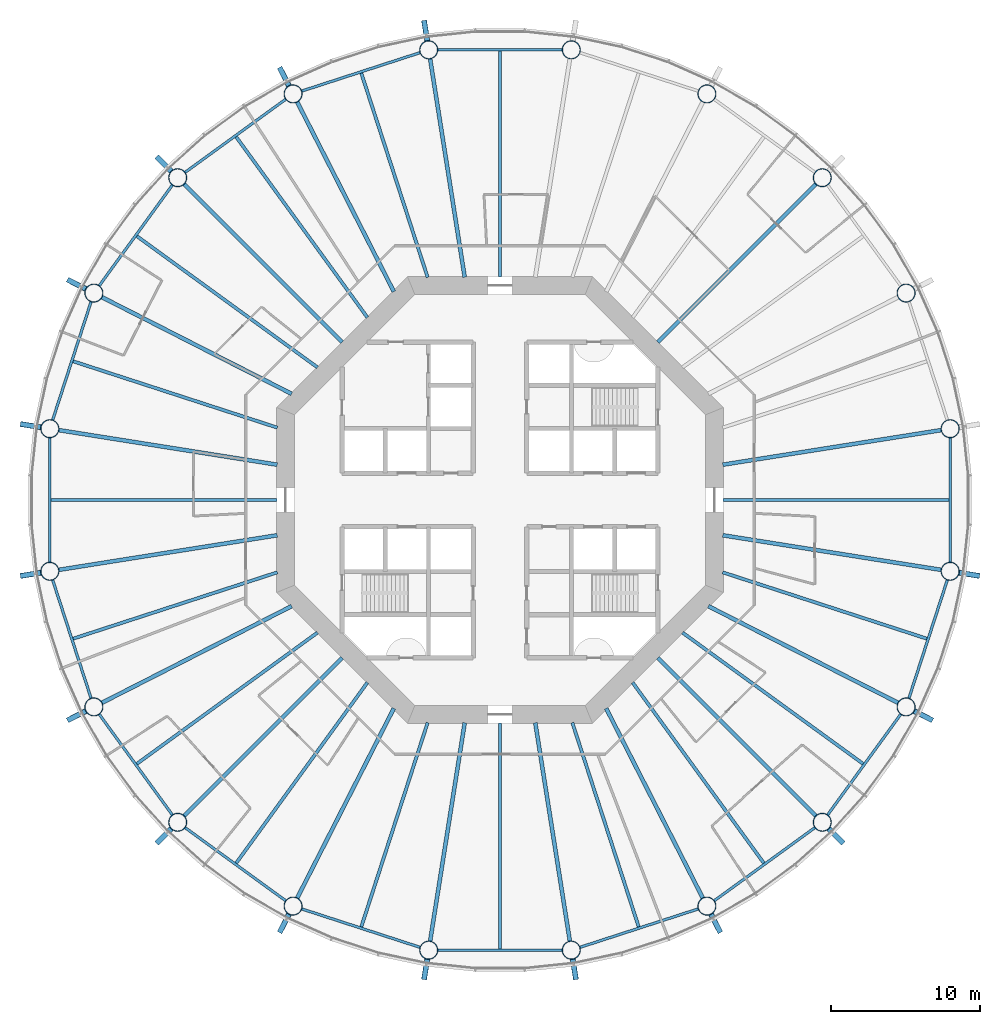
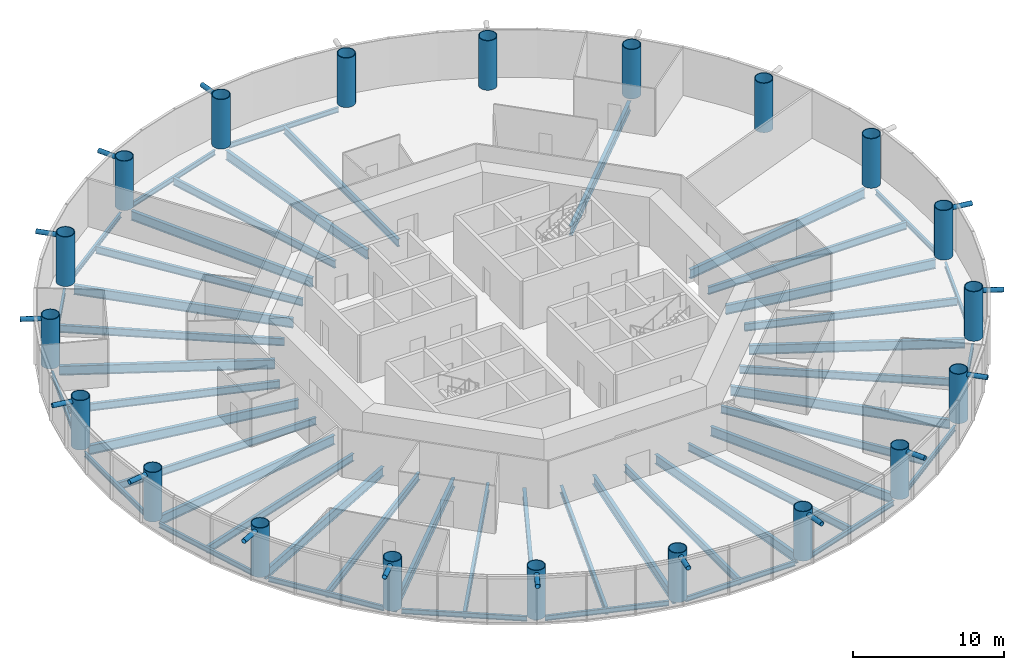
# One storey, part 1 of 13: 49 beams, 20 columns, 15 members.
"""IFC4 building model written with IfcOpenShell, lengths in metres."""

from ifc_helpers import new_model, si_unit, direction, frame, origin, origin_2d, place, context, subcontext, project, spatial, circle, hollow_circle, i_section, extrude, material, material_profile, profile_set, type_object, element, save


model = new_model("IFC4")

# Units and contexts
model_context = context("Model", 3, precision=1e-05, world=origin(), true_north=direction((0.0, 1.0)))
body_context = subcontext(model_context, "Body", "Model", "MODEL_VIEW")
ifc_project = project(units=[si_unit("LENGTHUNIT", "METRE"), si_unit("AREAUNIT", "SQUARE_METRE"), si_unit("VOLUMEUNIT", "CUBIC_METRE"), si_unit("PLANEANGLEUNIT", "RADIAN"), si_unit("MASSUNIT", "GRAM", prefix="KILO")], contexts=[model_context])

# Site, building, storey
site_placement = place(None, origin())
site = spatial("IfcSite", under=ifc_project, at=site_placement, CompositionType="ELEMENT")
building_placement = place(site_placement, origin())
building = spatial("IfcBuilding", under=site, at=building_placement, Name="Entoto Ring Tower", CompositionType="ELEMENT")
storey_placement = place(building_placement, frame((0.0, 0.0, 112.0)))
storey = spatial("IfcBuildingStorey", under=building, at=storey_placement, Name="L25", CompositionType="ELEMENT", Elevation=112.0)

# Columns
ifc_material_1 = material(Name="Steel S355", Category="steel")
ifc_material_profile_1 = material_profile(ifc_material_1, hollow_circle(Radius=0.625, WallThickness=0.054931640625, at=origin_2d()), Name="CHS 1250 x 55")
ifc_material_2 = material(Name="Concrete C60/75", Category="concrete")
ifc_material_profile_2 = material_profile(ifc_material_2, circle(Radius=0.570068359375, at=origin_2d()), Name="Concrete C60/75 infill")
ifc_profile_set_1 = profile_set([ifc_material_profile_1, ifc_material_profile_2], Name="Steel S355")
column_type = type_object("IfcColumnType", Name="Ring column 1250 x 55 concrete-filled tube", PredefinedType="COLUMN", material=ifc_profile_set_1)
for number, where, z_axis, x_axis, name in (
    (1, (120.22314453125, 84.786865234375, 0.0), (0.0, 0.0, 1.0), (1.0, 0.0, 0.0), "RC2 R01"),
    (2, (117.264892578125, 93.89208984375, 0.0), (0.0, 0.0, 1.0), (1.0, 0.0, 0.0), "RC2 R02"),
    (3, (111.637451171875, 101.637451171875, 0.0), (0.0, 0.0, 1.0), (1.0, 0.0, 0.0), "RC2 R03"),
    (4, (103.89208984375, 107.264892578125, 0.0), (0.0, 0.0, 1.0), (1.0, 0.0, 0.0), "RC2 R04"),
    (5, (94.786865234375, 110.22314453125, 0.0), (0.0, 0.0, 1.0), (1.0, 0.0, 0.0), "RC2 R05"),
    (6, (85.213134765625, 110.22314453125, 0.0), (0.0, 0.0, 1.0), (1.0, 0.0, 0.0), "RC2 R06"),
    (7, (76.10791015625, 107.264892578125, 0.0), (0.0, 0.0, 1.0), (1.0, 0.0, 0.0), "RC2 R07"),
    (8, (68.362548828125, 101.637451171875, 0.0), (0.0, 0.0, 1.0), (1.0, 0.0, 0.0), "RC2 R08"),
    (9, (62.735107421875, 93.89208984375, 0.0), (0.0, 0.0, 1.0), (1.0, 0.0, 0.0), "RC2 R09"),
    (10, (59.77685546875, 84.786865234375, 0.0), (0.0, 0.0, 1.0), (1.0, 0.0, 0.0), "RC2 R10"),
    (11, (59.77685546875, 75.213134765625, 0.0), (0.0, 0.0, 1.0), (1.0, 0.0, 0.0), "RC2 R11"),
    (12, (62.735107421875, 66.10791015625, 0.0), (0.0, 0.0, 1.0), (1.0, 0.0, 0.0), "RC2 R12"),
    (13, (68.362548828125, 58.362548828125, 0.0), (0.0, 0.0, 1.0), (1.0, 0.0, 0.0), "RC2 R13"),
    (14, (76.10791015625, 52.735107421875, 0.0), (0.0, 0.0, 1.0), (1.0, 0.0, 0.0), "RC2 R14"),
    (15, (85.213134765625, 49.77685546875, 0.0), (0.0, 0.0, 1.0), (1.0, 0.0, 0.0), "RC2 R15"),
    (16, (94.786865234375, 49.77685546875, 0.0), (0.0, 0.0, 1.0), (1.0, 0.0, 0.0), "RC2 R16"),
    (17, (103.89208984375, 52.735107421875, 0.0), (0.0, 0.0, 1.0), (1.0, 0.0, 0.0), "RC2 R17"),
    (18, (111.637451171875, 58.362548828125, 0.0), (0.0, 0.0, 1.0), (1.0, 0.0, 0.0), "RC2 R18"),
    (19, (117.264892578125, 66.10791015625, 0.0), (0.0, 0.0, 1.0), (1.0, 0.0, 0.0), "RC2 R19"),
    (20, (120.22314453125, 75.213134765625, 0.0), (0.0, 0.0, 1.0), (1.0, 0.0, 0.0), "RC2 R20"),
):
    element("IfcColumn", number, at=place(storey_placement, frame(where, z_axis=z_axis, x_axis=x_axis)), inside=storey, type_object=column_type, Name=name, PredefinedType="COLUMN", context=body_context, shape_type="SweptSolid", body=[
        extrude(hollow_circle(Radius=0.625, WallThickness=0.054931640625, at=origin_2d()), origin(), (0.0, 0.0, 1.0), 4.0),
    ])

# Members
ifc_material_3 = material(Name="Steel S355", Category="steel")
ifc_material_profile_3 = material_profile(ifc_material_3, hollow_circle(Radius=0.177734375, WallThickness=0.01611328125, at=origin_2d()), Name="CHS 355.6 x 16")
ifc_material_4 = material(Name="Concrete C60/75", Category="concrete")
ifc_material_profile_4 = material_profile(ifc_material_4, circle(Radius=0.161865234375, at=origin_2d()), Name="Concrete C60/75 infill")
ifc_profile_set_2 = profile_set([ifc_material_profile_3, ifc_material_profile_4], Name="Steel S355")
member_type = type_object("IfcMemberType", Name="Diagrid node strut 355.6 x 16", PredefinedType="STRUT", material=ifc_profile_set_2)
member_1_placement = place(storey_placement, frame((85.12255859375, 110.795166015625, 3.672119140625), z_axis=(-0.156509522646, 0.987676449715, 0.0), x_axis=(-0.987676449715, -0.156509522646, 0.0)))
element("IfcMember", 21, at=member_1_placement, inside=storey, type_object=member_type, Name="DS1 strut ring 7 05", PredefinedType="STRUT", context=body_context, shape_type="SweptSolid", body=[
    extrude(hollow_circle(Radius=0.177734375, WallThickness=0.01611328125, at=origin_2d()), origin(), (0.0, 0.0, 1.0), 1.421142578125),
])
member_2_placement = place(storey_placement, frame((75.844970703125, 107.78076171875, 3.672119140625), z_axis=(-0.45393607671, 0.891034252013, 0.0), x_axis=(-0.891034252013, -0.45393607671, 0.0)))
element("IfcMember", 22, at=member_2_placement, inside=storey, type_object=member_type, Name="DS1 strut ring 7 06", PredefinedType="STRUT", context=body_context, shape_type="SweptSolid", body=[
    extrude(hollow_circle(Radius=0.177734375, WallThickness=0.01611328125, at=origin_2d()), origin(), (0.0, 0.0, 1.0), 1.4208984375),
])
member_3_placement = place(storey_placement, frame((67.953125, 102.046875, 3.672119140625), z_axis=(-0.707106781187, 0.707106781187, 0.0), x_axis=(-0.707106781187, -0.707106781187, 0.0)))
element("IfcMember", 23, at=member_3_placement, inside=storey, type_object=member_type, Name="DS1 strut ring 7 07", PredefinedType="STRUT", context=body_context, shape_type="SweptSolid", body=[
    extrude(hollow_circle(Radius=0.177734375, WallThickness=0.01611328125, at=origin_2d()), origin(), (0.0, 0.0, 1.0), 1.421142578125),
])
member_4_placement = place(storey_placement, frame((62.21923828125, 94.155029296875, 3.672119140625), z_axis=(-0.891034252013, 0.45393607671, 0.0), x_axis=(-0.45393607671, -0.891034252013, 0.0)))
element("IfcMember", 24, at=member_4_placement, inside=storey, type_object=member_type, Name="DS1 strut ring 7 08", PredefinedType="STRUT", context=body_context, shape_type="SweptSolid", body=[
    extrude(hollow_circle(Radius=0.177734375, WallThickness=0.01611328125, at=origin_2d()), origin(), (0.0, 0.0, 1.0), 1.4208984375),
])
for number, where, z_axis, x_axis, name in (
    (25, (59.204833984375, 84.87744140625, 3.672119140625), (-0.987676449715, 0.156509522646, 0.0), (-0.156509522646, -0.987676449715, 0.0), "DS1 strut ring 7 09"),
    (26, (59.204833984375, 75.12255859375, 3.672119140625), (-0.987676449715, -0.156509522646, 0.0), (0.156509522646, -0.987676449715, 0.0), "DS1 strut ring 7 10"),
):
    element("IfcMember", number, at=place(storey_placement, frame(where, z_axis=z_axis, x_axis=x_axis)), inside=storey, type_object=member_type, Name=name, PredefinedType="STRUT", context=body_context, shape_type="SweptSolid", body=[
        extrude(hollow_circle(Radius=0.177734375, WallThickness=0.01611328125, at=origin_2d()), origin(), (0.0, 0.0, 1.0), 1.421142578125),
    ])
member_5_placement = place(storey_placement, frame((62.21923828125, 65.844970703125, 3.672119140625), z_axis=(-0.891034252013, -0.45393607671, 0.0), x_axis=(0.45393607671, -0.891034252013, 0.0)))
element("IfcMember", 27, at=member_5_placement, inside=storey, type_object=member_type, Name="DS1 strut ring 7 11", PredefinedType="STRUT", context=body_context, shape_type="SweptSolid", body=[
    extrude(hollow_circle(Radius=0.177734375, WallThickness=0.01611328125, at=origin_2d()), origin(), (0.0, 0.0, 1.0), 1.4208984375),
])
member_6_placement = place(storey_placement, frame((67.953125, 57.953125, 3.672119140625), z_axis=(-0.707106781187, -0.707106781187, 0.0), x_axis=(0.707106781187, -0.707106781187, 0.0)))
element("IfcMember", 28, at=member_6_placement, inside=storey, type_object=member_type, Name="DS1 strut ring 7 12", PredefinedType="STRUT", context=body_context, shape_type="SweptSolid", body=[
    extrude(hollow_circle(Radius=0.177734375, WallThickness=0.01611328125, at=origin_2d()), origin(), (0.0, 0.0, 1.0), 1.421142578125),
])
member_7_placement = place(storey_placement, frame((75.844970703125, 52.21923828125, 3.672119140625), z_axis=(-0.45393607671, -0.891034252013, 0.0), x_axis=(0.891034252013, -0.45393607671, 0.0)))
element("IfcMember", 29, at=member_7_placement, inside=storey, type_object=member_type, Name="DS1 strut ring 7 13", PredefinedType="STRUT", context=body_context, shape_type="SweptSolid", body=[
    extrude(hollow_circle(Radius=0.177734375, WallThickness=0.01611328125, at=origin_2d()), origin(), (0.0, 0.0, 1.0), 1.4208984375),
])
for number, where, z_axis, x_axis, name in (
    (30, (85.12255859375, 49.204833984375, 3.672119140625), (-0.156509522646, -0.987676449715, 0.0), (0.987676449715, -0.156509522646, 0.0), "DS1 strut ring 7 14"),
    (31, (94.87744140625, 49.204833984375, 3.672119140625), (0.156509522646, -0.987676449715, 0.0), (0.987676449715, 0.156509522646, 0.0), "DS1 strut ring 7 15"),
):
    element("IfcMember", number, at=place(storey_placement, frame(where, z_axis=z_axis, x_axis=x_axis)), inside=storey, type_object=member_type, Name=name, PredefinedType="STRUT", context=body_context, shape_type="SweptSolid", body=[
        extrude(hollow_circle(Radius=0.177734375, WallThickness=0.01611328125, at=origin_2d()), origin(), (0.0, 0.0, 1.0), 1.421142578125),
    ])
member_8_placement = place(storey_placement, frame((104.155029296875, 52.21923828125, 3.672119140625), z_axis=(0.45393607671, -0.891034252013, 0.0), x_axis=(0.891034252013, 0.45393607671, 0.0)))
element("IfcMember", 32, at=member_8_placement, inside=storey, type_object=member_type, Name="DS1 strut ring 7 16", PredefinedType="STRUT", context=body_context, shape_type="SweptSolid", body=[
    extrude(hollow_circle(Radius=0.177734375, WallThickness=0.01611328125, at=origin_2d()), origin(), (0.0, 0.0, 1.0), 1.4208984375),
])
member_9_placement = place(storey_placement, frame((112.046875, 57.953125, 3.672119140625), z_axis=(0.707106781187, -0.707106781187, 0.0), x_axis=(0.707106781187, 0.707106781187, 0.0)))
element("IfcMember", 33, at=member_9_placement, inside=storey, type_object=member_type, Name="DS1 strut ring 7 17", PredefinedType="STRUT", context=body_context, shape_type="SweptSolid", body=[
    extrude(hollow_circle(Radius=0.177734375, WallThickness=0.01611328125, at=origin_2d()), origin(), (0.0, 0.0, 1.0), 1.421142578125),
])
member_10_placement = place(storey_placement, frame((117.78076171875, 65.844970703125, 3.672119140625), z_axis=(0.891034252013, -0.45393607671, 0.0), x_axis=(0.45393607671, 0.891034252013, 0.0)))
element("IfcMember", 34, at=member_10_placement, inside=storey, type_object=member_type, Name="DS1 strut ring 7 18", PredefinedType="STRUT", context=body_context, shape_type="SweptSolid", body=[
    extrude(hollow_circle(Radius=0.177734375, WallThickness=0.01611328125, at=origin_2d()), origin(), (0.0, 0.0, 1.0), 1.4208984375),
])
member_11_placement = place(storey_placement, frame((120.795166015625, 75.12255859375, 3.672119140625), z_axis=(0.987676449715, -0.156509522646, 0.0), x_axis=(0.156509522646, 0.987676449715, 0.0)))
element("IfcMember", 35, at=member_11_placement, inside=storey, type_object=member_type, Name="DS1 strut ring 7 19", PredefinedType="STRUT", context=body_context, shape_type="SweptSolid", body=[
    extrude(hollow_circle(Radius=0.177734375, WallThickness=0.01611328125, at=origin_2d()), origin(), (0.0, 0.0, 1.0), 1.421142578125),
])

# Beams
ifc_material_5 = material(Name="Steel S355", Category="steel")
ifc_material_profile_5 = material_profile(ifc_material_5, i_section(OverallWidth=0.179931640625, OverallDepth=0.39990234375, WebThickness=0.008544921875, FlangeThickness=0.013427734375, FilletRadius=0.02099609375, at=origin_2d()), Name="IPE 400")
ifc_profile_set_3 = profile_set([ifc_material_profile_5], Name="Steel S355")
beam_type_1 = type_object("IfcBeamType", Name="Edge beam IPE 400", PredefinedType="SPANDREL", material=ifc_profile_set_3)
for number, where, z_axis, x_axis, name in (
    (36, (94.1884765625, 110.22314453125, -0.35009765625), (-1.0, 0.0, 0.0), (0.0, -1.0, 0.0), "Edge beam L25 05"),
    (37, (84.64404296875, 110.038330078125, -0.35009765625), (-0.951057410904, -0.309014241039, 0.0), (0.309014241039, -0.951057410904, 0.0), "Edge beam L25 06"),
    (38, (75.623779296875, 106.9130859375, -0.35009765625), (-0.8090182976, -0.587783458554, 0.0), (0.587783458554, -0.8090182976, 0.0), "Edge beam L25 07"),
    (39, (68.0107421875, 101.1533203125, -0.35009765625), (-0.587783458554, -0.8090182976, 0.0), (0.8090182976, -0.587783458554, 0.0), "Edge beam L25 08"),
    (40, (62.55029296875, 93.322998046875, -0.35009765625), (-0.309014241039, -0.951057410904, 0.0), (0.951057410904, -0.309014241039, 0.0), "Edge beam L25 09"),
    (41, (59.77685546875, 84.1884765625, -0.35009765625), (0.0, -1.0, 0.0), (1.0, 0.0, 0.0), "Edge beam L25 10"),
    (42, (59.961669921875, 74.64404296875, -0.35009765625), (0.309014241039, -0.951057410904, 0.0), (0.951057410904, 0.309014241039, 0.0), "Edge beam L25 11"),
    (43, (63.0869140625, 65.623779296875, -0.35009765625), (0.587783458554, -0.8090182976, 0.0), (0.8090182976, 0.587783458554, 0.0), "Edge beam L25 12"),
    (44, (68.8466796875, 58.0107421875, -0.35009765625), (0.8090182976, -0.587783458554, 0.0), (0.587783458554, 0.8090182976, 0.0), "Edge beam L25 13"),
    (45, (76.677001953125, 52.55029296875, -0.35009765625), (0.951057410904, -0.309014241039, 0.0), (0.309014241039, 0.951057410904, 0.0), "Edge beam L25 14"),
    (46, (85.8115234375, 49.77685546875, -0.35009765625), (1.0, 0.0, 0.0), (0.0, 1.0, 0.0), "Edge beam L25 15"),
    (47, (95.35595703125, 49.961669921875, -0.35009765625), (0.951057410904, 0.309014241039, 0.0), (-0.309014241039, 0.951057410904, 0.0), "Edge beam L25 16"),
    (48, (104.376220703125, 53.0869140625, -0.35009765625), (0.8090182976, 0.587783458554, 0.0), (-0.587783458554, 0.8090182976, 0.0), "Edge beam L25 17"),
    (49, (111.9892578125, 58.8466796875, -0.35009765625), (0.587783458554, 0.8090182976, 0.0), (-0.8090182976, 0.587783458554, 0.0), "Edge beam L25 18"),
    (50, (117.44970703125, 66.677001953125, -0.35009765625), (0.309014241039, 0.951057410904, 0.0), (-0.951057410904, 0.309014241039, 0.0), "Edge beam L25 19"),
    (51, (120.22314453125, 75.8115234375, -0.35009765625), (0.0, 1.0, 0.0), (-1.0, 0.0, 0.0), "Edge beam L25 20"),
):
    element("IfcBeam", number, at=place(storey_placement, frame(where, z_axis=z_axis, x_axis=x_axis)), inside=storey, type_object=beam_type_1, Name=name, PredefinedType="SPANDREL", context=body_context, shape_type="SweptSolid", body=[
        extrude(i_section(OverallWidth=0.179931640625, OverallDepth=0.39990234375, WebThickness=0.008544921875, FlangeThickness=0.013427734375, FilletRadius=0.02099609375, at=origin_2d()), origin(), (0.0, 0.0, 1.0), 8.376953125),
    ])
ifc_material_6 = material(Name="Steel S355", Category="steel")
ifc_material_profile_6 = material_profile(ifc_material_6, i_section(OverallWidth=0.262939453125, OverallDepth=0.7529296875, WebThickness=0.011474609375, FlangeThickness=0.01708984375, FilletRadius=0.01708984375, at=origin_2d()), Name="IPE 750 x 137")
ifc_profile_set_4 = profile_set([ifc_material_profile_6], Name="Steel S355")
beam_type_2 = type_object("IfcBeamType", Name="Primary floor beam IPE 750 x 137", PredefinedType="BEAM", material=ifc_profile_set_4)
beam_1_placement = place(storey_placement, frame((104.959716796875, 82.369384765625, -0.526611328125), z_axis=(0.98768960451, 0.156426484787, 0.0), x_axis=(-0.156426484787, 0.98768960451, 0.0)))
element("IfcBeam", 52, at=beam_1_placement, inside=storey, type_object=beam_type_2, Name="Primary L25 R01", PredefinedType="BEAM", context=body_context, shape_type="SweptSolid", body=[
    extrude(i_section(OverallWidth=0.262939453125, OverallDepth=0.7529296875, WebThickness=0.011474609375, FlangeThickness=0.01708984375, FilletRadius=0.01708984375, at=origin_2d()), origin(), (0.0, 0.0, 1.0), 14.86279296875),
])
beam_2_placement = place(storey_placement, frame((100.592529296875, 90.592529296875, -0.526611328125), z_axis=(0.707106781187, 0.707106781187, 0.0), x_axis=(-0.707106781187, 0.707106781187, 0.0)))
element("IfcBeam", 53, at=beam_2_placement, inside=storey, type_object=beam_type_2, Name="Primary L25 R03", PredefinedType="BEAM", context=body_context, shape_type="SweptSolid", body=[
    extrude(i_section(OverallWidth=0.262939453125, OverallDepth=0.7529296875, WebThickness=0.011474609375, FlangeThickness=0.01708984375, FilletRadius=0.01708984375, at=origin_2d()), origin(), (0.0, 0.0, 1.0), 15.029052734375),
])
beam_3_placement = place(storey_placement, frame((87.630615234375, 94.959716796875, -0.526611328125), z_axis=(-0.156426484787, 0.98768960451, 0.0), x_axis=(-0.98768960451, -0.156426484787, 0.0)))
element("IfcBeam", 54, at=beam_3_placement, inside=storey, type_object=beam_type_2, Name="Primary L25 R06", PredefinedType="BEAM", context=body_context, shape_type="SweptSolid", body=[
    extrude(i_section(OverallWidth=0.262939453125, OverallDepth=0.7529296875, WebThickness=0.011474609375, FlangeThickness=0.01708984375, FilletRadius=0.01708984375, at=origin_2d()), origin(), (0.0, 0.0, 1.0), 14.86279296875),
])
beam_4_placement = place(storey_placement, frame((82.8681640625, 93.9970703125, -0.526611328125), z_axis=(-0.453988952421, 0.891007312585, 0.0), x_axis=(-0.891007312585, -0.453988952421, 0.0)))
element("IfcBeam", 55, at=beam_4_placement, inside=storey, type_object=beam_type_2, Name="Primary L25 R07", PredefinedType="BEAM", context=body_context, shape_type="SweptSolid", body=[
    extrude(i_section(OverallWidth=0.262939453125, OverallDepth=0.7529296875, WebThickness=0.011474609375, FlangeThickness=0.01708984375, FilletRadius=0.01708984375, at=origin_2d()), origin(), (0.0, 0.0, 1.0), 14.2998046875),
])
beam_5_placement = place(storey_placement, frame((79.407470703125, 90.592529296875, -0.526611328125), z_axis=(-0.707106781187, 0.707106781187, 0.0), x_axis=(-0.707106781187, -0.707106781187, 0.0)))
element("IfcBeam", 56, at=beam_5_placement, inside=storey, type_object=beam_type_2, Name="Primary L25 R08", PredefinedType="BEAM", context=body_context, shape_type="SweptSolid", body=[
    extrude(i_section(OverallWidth=0.262939453125, OverallDepth=0.7529296875, WebThickness=0.011474609375, FlangeThickness=0.01708984375, FilletRadius=0.01708984375, at=origin_2d()), origin(), (0.0, 0.0, 1.0), 15.029052734375),
])
beam_6_placement = place(storey_placement, frame((76.0029296875, 87.1318359375, -0.526611328125), z_axis=(-0.891007312585, 0.453988952421, 0.0), x_axis=(-0.453988952421, -0.891007312585, 0.0)))
element("IfcBeam", 57, at=beam_6_placement, inside=storey, type_object=beam_type_2, Name="Primary L25 R09", PredefinedType="BEAM", context=body_context, shape_type="SweptSolid", body=[
    extrude(i_section(OverallWidth=0.262939453125, OverallDepth=0.7529296875, WebThickness=0.011474609375, FlangeThickness=0.01708984375, FilletRadius=0.01708984375, at=origin_2d()), origin(), (0.0, 0.0, 1.0), 14.2998046875),
])
for number, where, z_axis, x_axis, name in (
    (58, (75.040283203125, 82.369384765625, -0.526611328125), (-0.98768960451, 0.156426484787, 0.0), (-0.156426484787, -0.98768960451, 0.0), "Primary L25 R10"),
    (59, (75.040283203125, 77.630615234375, -0.526611328125), (-0.98768960451, -0.156426484787, 0.0), (0.156426484787, -0.98768960451, 0.0), "Primary L25 R11"),
):
    element("IfcBeam", number, at=place(storey_placement, frame(where, z_axis=z_axis, x_axis=x_axis)), inside=storey, type_object=beam_type_2, Name=name, PredefinedType="BEAM", context=body_context, shape_type="SweptSolid", body=[
        extrude(i_section(OverallWidth=0.262939453125, OverallDepth=0.7529296875, WebThickness=0.011474609375, FlangeThickness=0.01708984375, FilletRadius=0.01708984375, at=origin_2d()), origin(), (0.0, 0.0, 1.0), 14.86279296875),
    ])
beam_7_placement = place(storey_placement, frame((76.0029296875, 72.8681640625, -0.526611328125), z_axis=(-0.891007312585, -0.453988952421, 0.0), x_axis=(0.453988952421, -0.891007312585, 0.0)))
element("IfcBeam", 60, at=beam_7_placement, inside=storey, type_object=beam_type_2, Name="Primary L25 R12", PredefinedType="BEAM", context=body_context, shape_type="SweptSolid", body=[
    extrude(i_section(OverallWidth=0.262939453125, OverallDepth=0.7529296875, WebThickness=0.011474609375, FlangeThickness=0.01708984375, FilletRadius=0.01708984375, at=origin_2d()), origin(), (0.0, 0.0, 1.0), 14.2998046875),
])
beam_8_placement = place(storey_placement, frame((79.407470703125, 69.407470703125, -0.526611328125), z_axis=(-0.707106781187, -0.707106781187, 0.0), x_axis=(0.707106781187, -0.707106781187, 0.0)))
element("IfcBeam", 61, at=beam_8_placement, inside=storey, type_object=beam_type_2, Name="Primary L25 R13", PredefinedType="BEAM", context=body_context, shape_type="SweptSolid", body=[
    extrude(i_section(OverallWidth=0.262939453125, OverallDepth=0.7529296875, WebThickness=0.011474609375, FlangeThickness=0.01708984375, FilletRadius=0.01708984375, at=origin_2d()), origin(), (0.0, 0.0, 1.0), 15.029052734375),
])
beam_9_placement = place(storey_placement, frame((82.8681640625, 66.0029296875, -0.526611328125), z_axis=(-0.453988952421, -0.891007312585, 0.0), x_axis=(0.891007312585, -0.453988952421, 0.0)))
element("IfcBeam", 62, at=beam_9_placement, inside=storey, type_object=beam_type_2, Name="Primary L25 R14", PredefinedType="BEAM", context=body_context, shape_type="SweptSolid", body=[
    extrude(i_section(OverallWidth=0.262939453125, OverallDepth=0.7529296875, WebThickness=0.011474609375, FlangeThickness=0.01708984375, FilletRadius=0.01708984375, at=origin_2d()), origin(), (0.0, 0.0, 1.0), 14.2998046875),
])
for number, where, z_axis, x_axis, name in (
    (63, (87.630615234375, 65.040283203125, -0.526611328125), (-0.156426484787, -0.98768960451, 0.0), (0.98768960451, -0.156426484787, 0.0), "Primary L25 R15"),
    (64, (92.369384765625, 65.040283203125, -0.526611328125), (0.156426484787, -0.98768960451, 0.0), (0.98768960451, 0.156426484787, 0.0), "Primary L25 R16"),
):
    element("IfcBeam", number, at=place(storey_placement, frame(where, z_axis=z_axis, x_axis=x_axis)), inside=storey, type_object=beam_type_2, Name=name, PredefinedType="BEAM", context=body_context, shape_type="SweptSolid", body=[
        extrude(i_section(OverallWidth=0.262939453125, OverallDepth=0.7529296875, WebThickness=0.011474609375, FlangeThickness=0.01708984375, FilletRadius=0.01708984375, at=origin_2d()), origin(), (0.0, 0.0, 1.0), 14.86279296875),
    ])
beam_10_placement = place(storey_placement, frame((97.1318359375, 66.0029296875, -0.526611328125), z_axis=(0.453988952421, -0.891007312585, 0.0), x_axis=(0.891007312585, 0.453988952421, 0.0)))
element("IfcBeam", 65, at=beam_10_placement, inside=storey, type_object=beam_type_2, Name="Primary L25 R17", PredefinedType="BEAM", context=body_context, shape_type="SweptSolid", body=[
    extrude(i_section(OverallWidth=0.262939453125, OverallDepth=0.7529296875, WebThickness=0.011474609375, FlangeThickness=0.01708984375, FilletRadius=0.01708984375, at=origin_2d()), origin(), (0.0, 0.0, 1.0), 14.2998046875),
])
beam_11_placement = place(storey_placement, frame((100.592529296875, 69.407470703125, -0.526611328125), z_axis=(0.707106781187, -0.707106781187, 0.0), x_axis=(0.707106781187, 0.707106781187, 0.0)))
element("IfcBeam", 66, at=beam_11_placement, inside=storey, type_object=beam_type_2, Name="Primary L25 R18", PredefinedType="BEAM", context=body_context, shape_type="SweptSolid", body=[
    extrude(i_section(OverallWidth=0.262939453125, OverallDepth=0.7529296875, WebThickness=0.011474609375, FlangeThickness=0.01708984375, FilletRadius=0.01708984375, at=origin_2d()), origin(), (0.0, 0.0, 1.0), 15.029052734375),
])
beam_12_placement = place(storey_placement, frame((103.9970703125, 72.8681640625, -0.526611328125), z_axis=(0.891007312585, -0.453988952421, 0.0), x_axis=(0.453988952421, 0.891007312585, 0.0)))
element("IfcBeam", 67, at=beam_12_placement, inside=storey, type_object=beam_type_2, Name="Primary L25 R19", PredefinedType="BEAM", context=body_context, shape_type="SweptSolid", body=[
    extrude(i_section(OverallWidth=0.262939453125, OverallDepth=0.7529296875, WebThickness=0.011474609375, FlangeThickness=0.01708984375, FilletRadius=0.01708984375, at=origin_2d()), origin(), (0.0, 0.0, 1.0), 14.2998046875),
])
beam_13_placement = place(storey_placement, frame((104.959716796875, 77.630615234375, -0.526611328125), z_axis=(0.98768960451, -0.156426484787, 0.0), x_axis=(0.156426484787, 0.98768960451, 0.0)))
element("IfcBeam", 68, at=beam_13_placement, inside=storey, type_object=beam_type_2, Name="Primary L25 R20", PredefinedType="BEAM", context=body_context, shape_type="SweptSolid", body=[
    extrude(i_section(OverallWidth=0.262939453125, OverallDepth=0.7529296875, WebThickness=0.011474609375, FlangeThickness=0.01708984375, FilletRadius=0.01708984375, at=origin_2d()), origin(), (0.0, 0.0, 1.0), 14.86279296875),
])
ifc_material_7 = material(Name="Steel S355", Category="steel")
ifc_material_profile_7 = material_profile(ifc_material_7, i_section(OverallWidth=0.219970703125, OverallDepth=0.60009765625, WebThickness=0.011962890625, FlangeThickness=0.01904296875, FilletRadius=0.02392578125, at=origin_2d()), Name="IPE 600")
ifc_profile_set_5 = profile_set([ifc_material_profile_7], Name="Steel S355")
beam_type_3 = type_object("IfcBeamType", Name="Secondary floor beam IPE 600", PredefinedType="JOIST", material=ifc_profile_set_5)
beam_14_placement = place(storey_placement, frame((90.0, 94.97998046875, -0.449951171875), z_axis=(0.0, 1.0, 0.0), x_axis=(-1.0, 0.0, 0.0)))
element("IfcBeam", 69, at=beam_14_placement, inside=storey, type_object=beam_type_3, Name="Secondary beam L25 05", PredefinedType="JOIST", context=body_context, shape_type="SweptSolid", body=[
    extrude(i_section(OverallWidth=0.219970703125, OverallDepth=0.60009765625, WebThickness=0.011962890625, FlangeThickness=0.01904296875, FilletRadius=0.02392578125, at=origin_2d()), origin(), (0.0, 0.0, 1.0), 15.1533203125),
])
beam_15_placement = place(storey_placement, frame((85.143310546875, 94.947021484375, -0.449951171875), z_axis=(-0.309014850288, 0.951057212949, 0.0), x_axis=(-0.951057212949, -0.309014850288, 0.0)))
element("IfcBeam", 70, at=beam_15_placement, inside=storey, type_object=beam_type_3, Name="Secondary beam L25 06", PredefinedType="JOIST", context=body_context, shape_type="SweptSolid", body=[
    extrude(i_section(OverallWidth=0.219970703125, OverallDepth=0.60009765625, WebThickness=0.011962890625, FlangeThickness=0.01904296875, FilletRadius=0.02392578125, at=origin_2d()), origin(), (0.0, 0.0, 1.0), 14.4169921875),
])
for number, where, z_axis, x_axis, name in (
    (71, (81.09521484375, 92.25634765625, -0.449951171875), (-0.587782163866, 0.809019238239, 0.0), (-0.809019238239, -0.587782163866, 0.0), "Secondary beam L25 07"),
    (72, (77.74365234375, 88.90478515625, -0.449951171875), (-0.809019238239, 0.587782163866, 0.0), (-0.587782163866, -0.809019238239, 0.0), "Secondary beam L25 08"),
):
    element("IfcBeam", number, at=place(storey_placement, frame(where, z_axis=z_axis, x_axis=x_axis)), inside=storey, type_object=beam_type_3, Name=name, PredefinedType="JOIST", context=body_context, shape_type="SweptSolid", body=[
        extrude(i_section(OverallWidth=0.219970703125, OverallDepth=0.60009765625, WebThickness=0.011962890625, FlangeThickness=0.01904296875, FilletRadius=0.02392578125, at=origin_2d()), origin(), (0.0, 0.0, 1.0), 14.983642578125),
    ])
beam_16_placement = place(storey_placement, frame((75.052978515625, 84.856689453125, -0.449951171875), z_axis=(-0.951057212949, 0.309014850288, 0.0), x_axis=(-0.309014850288, -0.951057212949, 0.0)))
element("IfcBeam", 73, at=beam_16_placement, inside=storey, type_object=beam_type_3, Name="Secondary beam L25 09", PredefinedType="JOIST", context=body_context, shape_type="SweptSolid", body=[
    extrude(i_section(OverallWidth=0.219970703125, OverallDepth=0.60009765625, WebThickness=0.011962890625, FlangeThickness=0.01904296875, FilletRadius=0.02392578125, at=origin_2d()), origin(), (0.0, 0.0, 1.0), 14.4169921875),
])
beam_17_placement = place(storey_placement, frame((75.02001953125, 80.0, -0.449951171875), z_axis=(-1.0, 0.0, 0.0), x_axis=(0.0, -1.0, 0.0)))
element("IfcBeam", 74, at=beam_17_placement, inside=storey, type_object=beam_type_3, Name="Secondary beam L25 10", PredefinedType="JOIST", context=body_context, shape_type="SweptSolid", body=[
    extrude(i_section(OverallWidth=0.219970703125, OverallDepth=0.60009765625, WebThickness=0.011962890625, FlangeThickness=0.01904296875, FilletRadius=0.02392578125, at=origin_2d()), origin(), (0.0, 0.0, 1.0), 15.1533203125),
])
beam_18_placement = place(storey_placement, frame((75.052978515625, 75.143310546875, -0.449951171875), z_axis=(-0.951057212949, -0.309014850288, 0.0), x_axis=(0.309014850288, -0.951057212949, 0.0)))
element("IfcBeam", 75, at=beam_18_placement, inside=storey, type_object=beam_type_3, Name="Secondary beam L25 11", PredefinedType="JOIST", context=body_context, shape_type="SweptSolid", body=[
    extrude(i_section(OverallWidth=0.219970703125, OverallDepth=0.60009765625, WebThickness=0.011962890625, FlangeThickness=0.01904296875, FilletRadius=0.02392578125, at=origin_2d()), origin(), (0.0, 0.0, 1.0), 14.4169921875),
])
for number, where, z_axis, x_axis, name in (
    (76, (77.74365234375, 71.09521484375, -0.449951171875), (-0.809019238239, -0.587782163866, 0.0), (0.587782163866, -0.809019238239, 0.0), "Secondary beam L25 12"),
    (77, (81.09521484375, 67.74365234375, -0.449951171875), (-0.587782163866, -0.809019238239, 0.0), (0.809019238239, -0.587782163866, 0.0), "Secondary beam L25 13"),
):
    element("IfcBeam", number, at=place(storey_placement, frame(where, z_axis=z_axis, x_axis=x_axis)), inside=storey, type_object=beam_type_3, Name=name, PredefinedType="JOIST", context=body_context, shape_type="SweptSolid", body=[
        extrude(i_section(OverallWidth=0.219970703125, OverallDepth=0.60009765625, WebThickness=0.011962890625, FlangeThickness=0.01904296875, FilletRadius=0.02392578125, at=origin_2d()), origin(), (0.0, 0.0, 1.0), 14.983642578125),
    ])
beam_19_placement = place(storey_placement, frame((85.143310546875, 65.052978515625, -0.449951171875), z_axis=(-0.309014850288, -0.951057212949, 0.0), x_axis=(0.951057212949, -0.309014850288, 0.0)))
element("IfcBeam", 78, at=beam_19_placement, inside=storey, type_object=beam_type_3, Name="Secondary beam L25 14", PredefinedType="JOIST", context=body_context, shape_type="SweptSolid", body=[
    extrude(i_section(OverallWidth=0.219970703125, OverallDepth=0.60009765625, WebThickness=0.011962890625, FlangeThickness=0.01904296875, FilletRadius=0.02392578125, at=origin_2d()), origin(), (0.0, 0.0, 1.0), 14.4169921875),
])
beam_20_placement = place(storey_placement, frame((90.0, 65.02001953125, -0.449951171875), z_axis=(0.0, -1.0, 0.0), x_axis=(1.0, 0.0, 0.0)))
element("IfcBeam", 79, at=beam_20_placement, inside=storey, type_object=beam_type_3, Name="Secondary beam L25 15", PredefinedType="JOIST", context=body_context, shape_type="SweptSolid", body=[
    extrude(i_section(OverallWidth=0.219970703125, OverallDepth=0.60009765625, WebThickness=0.011962890625, FlangeThickness=0.01904296875, FilletRadius=0.02392578125, at=origin_2d()), origin(), (0.0, 0.0, 1.0), 15.1533203125),
])
beam_21_placement = place(storey_placement, frame((94.856689453125, 65.052978515625, -0.449951171875), z_axis=(0.309014850288, -0.951057212949, 0.0), x_axis=(0.951057212949, 0.309014850288, 0.0)))
element("IfcBeam", 80, at=beam_21_placement, inside=storey, type_object=beam_type_3, Name="Secondary beam L25 16", PredefinedType="JOIST", context=body_context, shape_type="SweptSolid", body=[
    extrude(i_section(OverallWidth=0.219970703125, OverallDepth=0.60009765625, WebThickness=0.011962890625, FlangeThickness=0.01904296875, FilletRadius=0.02392578125, at=origin_2d()), origin(), (0.0, 0.0, 1.0), 14.4169921875),
])
for number, where, z_axis, x_axis, name in (
    (81, (98.90478515625, 67.74365234375, -0.449951171875), (0.587782163866, -0.809019238239, 0.0), (0.809019238239, 0.587782163866, 0.0), "Secondary beam L25 17"),
    (82, (102.25634765625, 71.09521484375, -0.449951171875), (0.809019238239, -0.587782163866, 0.0), (0.587782163866, 0.809019238239, 0.0), "Secondary beam L25 18"),
):
    element("IfcBeam", number, at=place(storey_placement, frame(where, z_axis=z_axis, x_axis=x_axis)), inside=storey, type_object=beam_type_3, Name=name, PredefinedType="JOIST", context=body_context, shape_type="SweptSolid", body=[
        extrude(i_section(OverallWidth=0.219970703125, OverallDepth=0.60009765625, WebThickness=0.011962890625, FlangeThickness=0.01904296875, FilletRadius=0.02392578125, at=origin_2d()), origin(), (0.0, 0.0, 1.0), 14.983642578125),
    ])
beam_22_placement = place(storey_placement, frame((104.947021484375, 75.143310546875, -0.449951171875), z_axis=(0.951057212949, -0.309014850288, 0.0), x_axis=(0.309014850288, 0.951057212949, 0.0)))
element("IfcBeam", 83, at=beam_22_placement, inside=storey, type_object=beam_type_3, Name="Secondary beam L25 19", PredefinedType="JOIST", context=body_context, shape_type="SweptSolid", body=[
    extrude(i_section(OverallWidth=0.219970703125, OverallDepth=0.60009765625, WebThickness=0.011962890625, FlangeThickness=0.01904296875, FilletRadius=0.02392578125, at=origin_2d()), origin(), (0.0, 0.0, 1.0), 14.4169921875),
])
beam_23_placement = place(storey_placement, frame((104.97998046875, 80.0, -0.449951171875), z_axis=(1.0, 0.0, 0.0), x_axis=(0.0, 1.0, 0.0)))
element("IfcBeam", 84, at=beam_23_placement, inside=storey, type_object=beam_type_3, Name="Secondary beam L25 20", PredefinedType="JOIST", context=body_context, shape_type="SweptSolid", body=[
    extrude(i_section(OverallWidth=0.219970703125, OverallDepth=0.60009765625, WebThickness=0.011962890625, FlangeThickness=0.01904296875, FilletRadius=0.02392578125, at=origin_2d()), origin(), (0.0, 0.0, 1.0), 15.1533203125),
])

save(model, "model.ifc")
